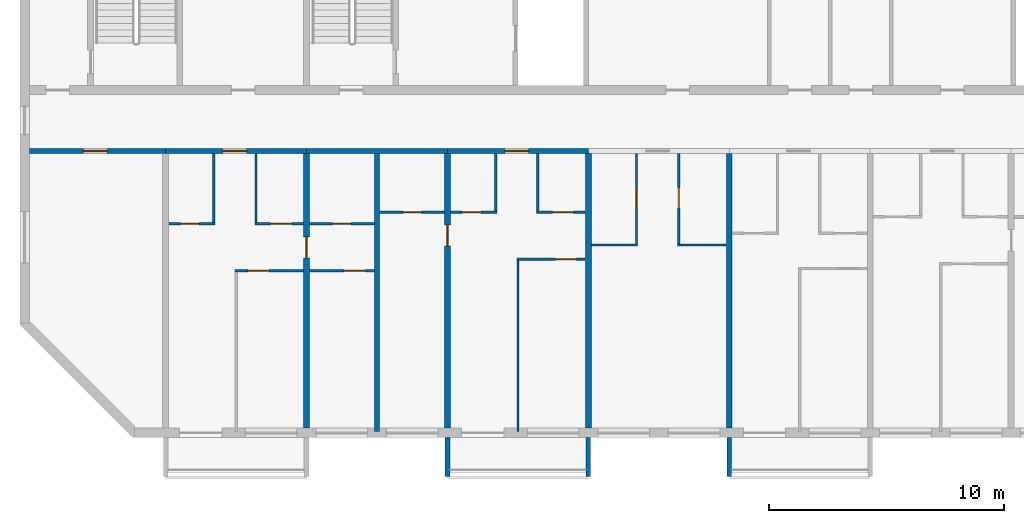
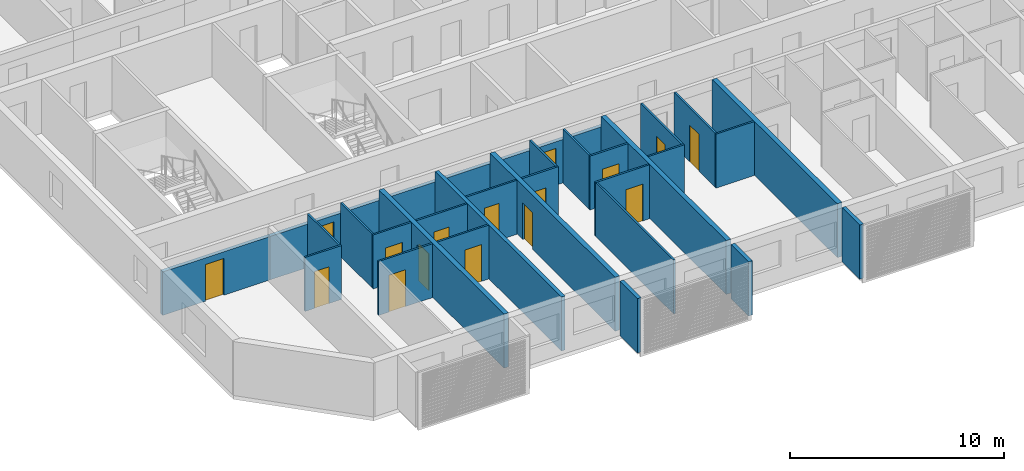
# One storey, part 2 of 27: 30 walls, 16 doors, 16 openings.
"""IFC4 building model written with IfcOpenShell, lengths in metres."""

from ifc_helpers import new_model, si_unit, direction, frame, frame_2d, origin, place, context, subcontext, project, spatial, polyline, rectangle, outline, extrude, source, transform, mapped, material, layer, layer_set, type_object, element, fill, save


model = new_model("IFC4")

# Units and contexts
model_context = context("Model", 3, precision=1e-05, world=origin(), true_north=direction((0.0, 1.0)))
body_context = subcontext(model_context, "Body", "Model", "MODEL_VIEW")
ifc_project = project(units=[si_unit("LENGTHUNIT", "METRE"), si_unit("AREAUNIT", "SQUARE_METRE"), si_unit("VOLUMEUNIT", "CUBIC_METRE"), si_unit("PLANEANGLEUNIT", "RADIAN"), si_unit("MASSUNIT", "GRAM", prefix="KILO")], contexts=[model_context])

# Site, building, storey
site_placement = place(None, origin())
site = spatial("IfcSite", under=ifc_project, at=site_placement, CompositionType="ELEMENT")
building_placement = place(site_placement, origin())
building = spatial("IfcBuilding", under=site, at=building_placement, Name="Poui Terraces", CompositionType="ELEMENT")
storey_placement = place(building_placement, frame((0.0, 0.0, 204.89990234375)))
storey = spatial("IfcBuildingStorey", under=building, at=storey_placement, Name="L57", CompositionType="ELEMENT", Elevation=204.89990234375)

# Wall, opening, door
ifc_material_1 = material(Name="Concrete 50 MPa", Category="concrete")
ifc_layer_1 = layer(ifc_material_1, 0.199951171875)
ifc_layer_set_1 = layer_set([ifc_layer_1], Name="Concrete 50 MPa")
wall_type_1 = type_object("IfcWallType", Name="CORRIDOR WALL 200 50MPa", PredefinedType="SHEAR", material=ifc_layer_set_1)
wall_1_placement = place(storey_placement, frame((18.199951171875, 12.0, 0.0), z_axis=(0.0, 0.0, 1.0), x_axis=(1.0, 0.0, 0.0)))
wall_1 = element("IfcWall", 1, at=wall_1_placement, inside=storey, type_object=wall_type_1, Name="CORRIDOR WALL LINE B BAY 1", PredefinedType="SHEAR", context=body_context, shape_type="SweptSolid", body=[
    extrude(rectangle(XDim=5.800048828125, YDim=0.199951171875, at=frame_2d((2.89990234375, 0.0))), origin(), (0.0, 0.0, 1.0), 2.47998046875),
])
opening_1_placement = place(wall_1_placement, frame((2.300048828125, 0.0, 0.0)))
opening_1 = element("IfcOpeningElement", 2, at=opening_1_placement, cuts=wall_1, Name="Opening D100", PredefinedType="OPENING", context=body_context, shape_type="SweptSolid", body=[
    extrude(rectangle(XDim=1.0, YDim=2.10009765625, at=frame_2d((0.5, 1.050048828125))), frame((0.0, 0.10986328125, 0.0), z_axis=(0.0, -1.0, 0.0), x_axis=(1.0, 0.0, 0.0)), (0.0, 0.0, 1.0), 0.219970703125),
])
ifc_material_2 = material(Name="Solid core timber door", Category="wood")
door_type_1 = type_object("IfcDoorType", Name="ACCESSIBLE INTERNAL DOOR 1000 X 2100", OperationType="NOTDEFINED", PredefinedType="DOOR", material=ifc_material_2)
door_1_placement = place(opening_1_placement, frame((1.0, 0.0, 0.0), z_axis=(0.0, 0.0, 1.0), x_axis=(-1.0, 0.0, 0.0)))
door_1 = element("IfcDoor", 3, at=door_1_placement, inside=storey, type_object=door_type_1, Name="ACCESSIBLE INTERNAL DOOR 066", OperationType="SINGLE_SWING_RIGHT", OverallHeight=2.10009765625, OverallWidth=1.0, PredefinedType="DOOR", context=body_context, shape_type="SweptSolid", body=[
    extrude(rectangle(XDim=1.0, YDim=2.10009765625, at=frame_2d((0.5, 1.050048828125))), frame((0.0, 0.02490234375, 0.0), z_axis=(0.0, -1.0, 0.0), x_axis=(1.0, 0.0, 0.0)), (0.0, 0.0, 1.0), 0.050048828125),
])
fill(opening_1, door_1)

wall_2_placement = place(storey_placement, frame((24.0, 12.0, 0.0), z_axis=(0.0, 0.0, 1.0), x_axis=(1.0, 0.0, 0.0)))
wall_2 = element("IfcWall", 4, at=wall_2_placement, inside=storey, type_object=wall_type_1, Name="CORRIDOR WALL LINE B BAY 2", PredefinedType="SHEAR", context=body_context, shape_type="SweptSolid", body=[
    extrude(rectangle(XDim=6.0, YDim=0.199951171875, at=frame_2d((3.0, 0.0))), origin(), (0.0, 0.0, 1.0), 2.47998046875),
])
opening_2_placement = place(wall_2_placement, frame((2.449951171875, 0.0, 0.0)))
opening_2 = element("IfcOpeningElement", 5, at=opening_2_placement, cuts=wall_2, Name="Opening FD30S", PredefinedType="OPENING", context=body_context, shape_type="SweptSolid", body=[
    extrude(rectangle(XDim=1.0, YDim=2.10009765625, at=frame_2d((0.5, 1.050048828125))), frame((0.0, 0.10986328125, 0.0), z_axis=(0.0, -1.0, 0.0), x_axis=(1.0, 0.0, 0.0)), (0.0, 0.0, 1.0), 0.219970703125),
])
ifc_material_3 = material(Name="Steel fire door", Category="steel")
door_type_2 = type_object("IfcDoorType", Name="FLAT ENTRANCE DOOR 1000 X 2100", OperationType="NOTDEFINED", PredefinedType="DOOR", material=ifc_material_3)
door_2_placement = place(opening_2_placement, frame((1.0, 0.0, 0.0), z_axis=(0.0, 0.0, 1.0), x_axis=(-1.0, 0.0, 0.0)))
door_2 = element("IfcDoor", 6, at=door_2_placement, inside=storey, type_object=door_type_2, Name="FLAT ENTRANCE DOOR 070", OperationType="SINGLE_SWING_RIGHT", OverallHeight=2.10009765625, OverallWidth=1.0, PredefinedType="DOOR", context=body_context, shape_type="SweptSolid", body=[
    extrude(rectangle(XDim=1.0, YDim=2.10009765625, at=frame_2d((0.5, 1.050048828125))), frame((0.0, 0.02490234375, 0.0), z_axis=(0.0, -1.0, 0.0), x_axis=(1.0, 0.0, 0.0)), (0.0, 0.0, 1.0), 0.050048828125),
])
fill(opening_2, door_2)

# Wall
wall_3_placement = place(storey_placement, frame((30.0, 12.0, 0.0), z_axis=(0.0, 0.0, 1.0), x_axis=(1.0, 0.0, 0.0)))
element("IfcWall", 7, at=wall_3_placement, inside=storey, type_object=wall_type_1, Name="CORRIDOR WALL LINE B BAY 3", PredefinedType="SHEAR", context=body_context, shape_type="SweptSolid", body=[
    extrude(rectangle(XDim=6.0, YDim=0.199951171875, at=frame_2d((3.0, 0.0))), origin(), (0.0, 0.0, 1.0), 2.47998046875),
])

# Wall, opening, door
wall_4_placement = place(storey_placement, frame((36.0, 12.0, 0.0), z_axis=(0.0, 0.0, 1.0), x_axis=(1.0, 0.0, 0.0)))
wall_4 = element("IfcWall", 8, at=wall_4_placement, inside=storey, type_object=wall_type_1, Name="CORRIDOR WALL LINE B BAY 4", PredefinedType="SHEAR", context=body_context, shape_type="SweptSolid", body=[
    extrude(rectangle(XDim=6.0, YDim=0.199951171875, at=frame_2d((3.0, 0.0))), origin(), (0.0, 0.0, 1.0), 2.47998046875),
])
opening_3_placement = place(wall_4_placement, frame((2.449951171875, 0.0, 0.0)))
opening_3 = element("IfcOpeningElement", 9, at=opening_3_placement, cuts=wall_4, Name="Opening FD30S", PredefinedType="OPENING", context=body_context, shape_type="SweptSolid", body=[
    extrude(rectangle(XDim=1.0, YDim=2.10009765625, at=frame_2d((0.5, 1.050048828125))), frame((0.0, 0.10986328125, 0.0), z_axis=(0.0, -1.0, 0.0), x_axis=(1.0, 0.0, 0.0)), (0.0, 0.0, 1.0), 0.219970703125),
])
door_3_placement = place(opening_3_placement, frame((1.0, 0.0, 0.0), z_axis=(0.0, 0.0, 1.0), x_axis=(-1.0, 0.0, 0.0)))
door_3 = element("IfcDoor", 10, at=door_3_placement, inside=storey, type_object=door_type_2, Name="FLAT ENTRANCE DOOR 077", OperationType="SINGLE_SWING_RIGHT", OverallHeight=2.10009765625, OverallWidth=1.0, PredefinedType="DOOR", context=body_context, shape_type="SweptSolid", body=[
    extrude(rectangle(XDim=1.0, YDim=2.10009765625, at=frame_2d((0.5, 1.050048828125))), frame((0.0, 0.02490234375, 0.0), z_axis=(0.0, -1.0, 0.0), x_axis=(1.0, 0.0, 0.0)), (0.0, 0.0, 1.0), 0.050048828125),
])
fill(opening_3, door_3)

ifc_layer_2 = layer(ifc_material_1, 0.25)
ifc_layer_set_2 = layer_set([ifc_layer_2], Name="Concrete 50 MPa")
wall_type_2 = type_object("IfcWallType", Name="CROSS WALL 250 50MPa", PredefinedType="SHEAR", material=ifc_layer_set_2)
wall_5_placement = place(storey_placement, frame((30.0, 0.199951171875, 0.0), z_axis=(0.0, 0.0, 1.0), x_axis=(0.0, 1.0, 0.0)))
wall_5 = element("IfcWall", 11, at=wall_5_placement, inside=storey, type_object=wall_type_2, Name="CROSS WALL LINE 6 SOUTH", PredefinedType="SHEAR", context=body_context, shape_type="SweptSolid", body=[
    extrude(rectangle(XDim=11.699951171875, YDim=0.25, at=frame_2d((5.85009765625, 0.0))), origin(), (0.0, 0.0, 1.0), 3.080078125),
])
opening_4_placement = place(wall_5_placement, frame((7.25, 0.0, 0.0)))
opening_4 = element("IfcOpeningElement", 12, at=opening_4_placement, cuts=wall_5, Name="Opening D90", PredefinedType="OPENING", context=body_context, shape_type="SweptSolid", body=[
    extrude(rectangle(XDim=0.89990234375, YDim=2.10009765625, at=frame_2d((0.449951171875, 1.050048828125))), frame((0.0, 0.135009765625, 0.0), z_axis=(0.0, -1.0, 0.0), x_axis=(1.0, 0.0, 0.0)), (0.0, 0.0, 1.0), 0.27001953125),
])
door_type_3 = type_object("IfcDoorType", Name="INTERNAL DOOR 900 X 2100", OperationType="NOTDEFINED", PredefinedType="DOOR", material=ifc_material_2)
door_4_placement = place(opening_4_placement, origin())
door_4 = element("IfcDoor", 13, at=door_4_placement, inside=storey, type_object=door_type_3, Name="INTERNAL DOOR 073", OperationType="SINGLE_SWING_RIGHT", OverallHeight=2.10009765625, OverallWidth=0.89990234375, PredefinedType="DOOR", context=body_context, shape_type="SweptSolid", body=[
    extrude(rectangle(XDim=0.89990234375, YDim=2.10009765625, at=frame_2d((0.449951171875, 1.050048828125))), frame((0.0, 0.02490234375, 0.0), z_axis=(0.0, -1.0, 0.0), x_axis=(1.0, 0.0, 0.0)), (0.0, 0.0, 1.0), 0.050048828125),
])
fill(opening_4, door_4)

wall_6_placement = place(storey_placement, frame((36.0, 0.199951171875, 0.0), z_axis=(0.0, 0.0, 1.0), x_axis=(0.0, 1.0, 0.0)))
wall_6 = element("IfcWall", 14, at=wall_6_placement, inside=storey, type_object=wall_type_2, Name="CROSS WALL LINE 7 SOUTH", PredefinedType="SHEAR", context=body_context, shape_type="SweptSolid", body=[
    extrude(rectangle(XDim=11.699951171875, YDim=0.25, at=frame_2d((5.85009765625, 0.0))), origin(), (0.0, 0.0, 1.0), 3.080078125),
])
opening_5_placement = place(wall_6_placement, frame((7.75, 0.0, 0.0)))
opening_5 = element("IfcOpeningElement", 15, at=opening_5_placement, cuts=wall_6, Name="Opening D90", PredefinedType="OPENING", context=body_context, shape_type="SweptSolid", body=[
    extrude(rectangle(XDim=0.89990234375, YDim=2.10009765625, at=frame_2d((0.449951171875, 1.050048828125))), frame((0.0, 0.135009765625, 0.0), z_axis=(0.0, -1.0, 0.0), x_axis=(1.0, 0.0, 0.0)), (0.0, 0.0, 1.0), 0.27001953125),
])
door_5_placement = place(opening_5_placement, origin())
door_5 = element("IfcDoor", 16, at=door_5_placement, inside=storey, type_object=door_type_3, Name="INTERNAL DOOR 075", OperationType="SINGLE_SWING_RIGHT", OverallHeight=2.10009765625, OverallWidth=0.89990234375, PredefinedType="DOOR", context=body_context, shape_type="SweptSolid", body=[
    extrude(rectangle(XDim=0.89990234375, YDim=2.10009765625, at=frame_2d((0.449951171875, 1.050048828125))), frame((0.0, 0.02490234375, 0.0), z_axis=(0.0, -1.0, 0.0), x_axis=(1.0, 0.0, 0.0)), (0.0, 0.0, 1.0), 0.050048828125),
])
fill(opening_5, door_5)

# Walls
for number, where, z_axis, x_axis, name in (
    (17, (42.0, 0.199951171875, 0.0), (0.0, 0.0, 1.0), (0.0, 1.0, 0.0), "CROSS WALL LINE 8 SOUTH"),
    (18, (48.0, 0.199951171875, 0.0), (0.0, 0.0, 1.0), (0.0, 1.0, 0.0), "CROSS WALL LINE 9 SOUTH"),
):
    element("IfcWall", number, at=place(storey_placement, frame(where, z_axis=z_axis, x_axis=x_axis)), inside=storey, type_object=wall_type_2, Name=name, PredefinedType="SHEAR", context=body_context, shape_type="SweptSolid", body=[
        extrude(rectangle(XDim=11.699951171875, YDim=0.25, at=frame_2d((5.85009765625, 0.0))), origin(), (0.0, 0.0, 1.0), 3.080078125),
    ])

# Wall, opening, door
ifc_material_4 = material(Name="Plasterboard partition")
ifc_layer_3 = layer(ifc_material_4, 0.10009765625)
ifc_layer_set_3 = layer_set([ifc_layer_3], Name="Plasterboard partition")
wall_type_3 = type_object("IfcWallType", Name="FLAT PARTITION 100", PredefinedType="PARTITIONING", material=ifc_layer_set_3)
wall_7_placement = place(storey_placement, frame((26.949951171875, 6.89990234375, 0.0), z_axis=(0.0, 0.0, 1.0), x_axis=(1.0, 0.0, 0.0)))
wall_7 = element("IfcWall", 19, at=wall_7_placement, inside=storey, type_object=wall_type_3, Name="FLAT PARTITION 100", PredefinedType="PARTITIONING", context=body_context, shape_type="SweptSolid", body=[
    extrude(rectangle(XDim=2.9150390625, YDim=0.10009765625, at=frame_2d((1.45751953125, 0.0))), origin(), (0.0, 0.0, 1.0), 3.080078125),
])
opening_6_placement = place(wall_7_placement, frame((0.550048828125, 0.0, 0.0)))
opening_6 = element("IfcOpeningElement", 20, at=opening_6_placement, cuts=wall_7, Name="Opening D90", PredefinedType="OPENING", context=body_context, shape_type="SweptSolid", body=[
    extrude(rectangle(XDim=0.89990234375, YDim=2.10009765625, at=frame_2d((0.449951171875, 1.050048828125))), frame((0.0, 0.06005859375, 0.0), z_axis=(0.0, -1.0, 0.0), x_axis=(1.0, 0.0, 0.0)), (0.0, 0.0, 1.0), 0.1201171875),
])
door_6_placement = place(opening_6_placement, origin())
door_6 = element("IfcDoor", 21, at=door_6_placement, inside=storey, type_object=door_type_3, Name="INTERNAL DOOR 071", OperationType="SINGLE_SWING_RIGHT", OverallHeight=2.10009765625, OverallWidth=0.89990234375, PredefinedType="DOOR", context=body_context, shape_type="SweptSolid", body=[
    extrude(rectangle(XDim=0.89990234375, YDim=2.10009765625, at=frame_2d((0.449951171875, 1.050048828125))), frame((0.0, 0.02490234375, 0.0), z_axis=(0.0, -1.0, 0.0), x_axis=(1.0, 0.0, 0.0)), (0.0, 0.0, 1.0), 0.050048828125),
])
fill(opening_6, door_6)

wall_8_placement = place(storey_placement, frame((30.135009765625, 6.89990234375, 0.0), z_axis=(0.0, 0.0, 1.0), x_axis=(1.0, 0.0, 0.0)))
wall_8 = element("IfcWall", 22, at=wall_8_placement, inside=storey, type_object=wall_type_3, Name="FLAT PARTITION 100", PredefinedType="PARTITIONING", context=body_context, shape_type="SweptSolid", body=[
    extrude(rectangle(XDim=2.764892578125, YDim=0.10009765625, at=frame_2d((1.38232421875, 0.0))), origin(), (0.0, 0.0, 1.0), 3.080078125),
])
opening_7_placement = place(wall_8_placement, frame((1.465087890625, 0.0, 0.0)))
opening_7 = element("IfcOpeningElement", 23, at=opening_7_placement, cuts=wall_8, Name="Opening D90", PredefinedType="OPENING", context=body_context, shape_type="SweptSolid", body=[
    extrude(rectangle(XDim=0.89990234375, YDim=2.10009765625, at=frame_2d((0.449951171875, 1.050048828125))), frame((0.0, 0.06005859375, 0.0), z_axis=(0.0, -1.0, 0.0), x_axis=(1.0, 0.0, 0.0)), (0.0, 0.0, 1.0), 0.1201171875),
])
door_7_placement = place(opening_7_placement, frame((0.89990234375, 0.0, 0.0), z_axis=(0.0, 0.0, 1.0), x_axis=(-1.0, 0.0, 0.0)))
door_7 = element("IfcDoor", 24, at=door_7_placement, inside=storey, type_object=door_type_3, Name="INTERNAL DOOR 068", OperationType="SINGLE_SWING_LEFT", OverallHeight=2.10009765625, OverallWidth=0.89990234375, PredefinedType="DOOR", context=body_context, shape_type="SweptSolid", body=[
    extrude(rectangle(XDim=0.89990234375, YDim=2.10009765625, at=frame_2d((0.449951171875, 1.050048828125))), frame((0.0, 0.02490234375, 0.0), z_axis=(0.0, -1.0, 0.0), x_axis=(1.0, 0.0, 0.0)), (0.0, 0.0, 1.0), 0.050048828125),
])
fill(opening_7, door_7)

wall_9_placement = place(storey_placement, frame((38.949951171875, 7.39990234375, 0.0), z_axis=(0.0, 0.0, 1.0), x_axis=(1.0, 0.0, 0.0)))
wall_9 = element("IfcWall", 25, at=wall_9_placement, inside=storey, type_object=wall_type_3, Name="FLAT PARTITION 100", PredefinedType="PARTITIONING", context=body_context, shape_type="SweptSolid", body=[
    extrude(rectangle(XDim=2.9150390625, YDim=0.10009765625, at=frame_2d((1.45751953125, 0.0))), origin(), (0.0, 0.0, 1.0), 3.080078125),
])
opening_8_placement = place(wall_9_placement, frame((1.64990234375, 0.0, 0.0)))
opening_8 = element("IfcOpeningElement", 26, at=opening_8_placement, cuts=wall_9, Name="Opening D90", PredefinedType="OPENING", context=body_context, shape_type="SweptSolid", body=[
    extrude(rectangle(XDim=0.89990234375, YDim=2.10009765625, at=frame_2d((0.449951171875, 1.050048828125))), frame((0.0, 0.06005859375, 0.0), z_axis=(0.0, -1.0, 0.0), x_axis=(1.0, 0.0, 0.0)), (0.0, 0.0, 1.0), 0.1201171875),
])
door_8_placement = place(opening_8_placement, origin())
door_8 = element("IfcDoor", 27, at=door_8_placement, inside=storey, type_object=door_type_3, Name="INTERNAL DOOR 079", OperationType="SINGLE_SWING_LEFT", OverallHeight=2.10009765625, OverallWidth=0.89990234375, PredefinedType="DOOR", context=body_context, shape_type="SweptSolid", body=[
    extrude(rectangle(XDim=0.89990234375, YDim=2.10009765625, at=frame_2d((0.449951171875, 1.050048828125))), frame((0.0, 0.02490234375, 0.0), z_axis=(0.0, -1.0, 0.0), x_axis=(1.0, 0.0, 0.0)), (0.0, 0.0, 1.0), 0.050048828125),
])
fill(opening_8, door_8)

# Walls
wall_10_placement = place(storey_placement, frame((42.135009765625, 8.0, 0.0), z_axis=(0.0, 0.0, 1.0), x_axis=(1.0, 0.0, 0.0)))
element("IfcWall", 28, at=wall_10_placement, inside=storey, type_object=wall_type_3, Name="FLAT PARTITION 100", PredefinedType="PARTITIONING", context=body_context, shape_type="SweptSolid", body=[
    extrude(rectangle(XDim=1.965087890625, YDim=0.10009765625, at=frame_2d((0.982421875, 0.0))), origin(), (0.0, 0.0, 1.0), 3.080078125),
])
wall_11_placement = place(storey_placement, frame((45.800048828125, 8.0, 0.0), z_axis=(0.0, 0.0, 1.0), x_axis=(1.0, 0.0, 0.0)))
element("IfcWall", 29, at=wall_11_placement, inside=storey, type_object=wall_type_3, Name="FLAT PARTITION 100", PredefinedType="PARTITIONING", context=body_context, shape_type="SweptSolid", body=[
    extrude(rectangle(XDim=2.06494140625, YDim=0.10009765625, at=frame_2d((1.032470703125, 0.0))), origin(), (0.0, 0.0, 1.0), 3.080078125),
])

# Wall, opening, door
wall_12_placement = place(storey_placement, frame((24.135009765625, 8.89990234375, 0.0), z_axis=(0.0, 0.0, 1.0), x_axis=(1.0, 0.0, 0.0)))
wall_12 = element("IfcWall", 30, at=wall_12_placement, inside=storey, type_object=wall_type_3, Name="FLAT PARTITION 100", PredefinedType="PARTITIONING", context=body_context, shape_type="SweptSolid", body=[
    extrude(rectangle(XDim=1.965087890625, YDim=0.10009765625, at=frame_2d((0.982421875, 0.0))), origin(), (0.0, 0.0, 1.0), 3.080078125),
])
opening_9_placement = place(wall_12_placement, frame((0.489990234375, 0.0, 0.0)))
opening_9 = element("IfcOpeningElement", 31, at=opening_9_placement, cuts=wall_12, Name="Opening D80", PredefinedType="OPENING", context=body_context, shape_type="SweptSolid", body=[
    extrude(rectangle(XDim=0.800048828125, YDim=2.10009765625, at=frame_2d((0.39990234375, 1.050048828125))), frame((0.0, 0.06005859375, 0.0), z_axis=(0.0, -1.0, 0.0), x_axis=(1.0, 0.0, 0.0)), (0.0, 0.0, 1.0), 0.1201171875),
])
door_type_4 = type_object("IfcDoorType", Name="BATHROOM, LAUNDRY AND STORE DOOR 800 X 2100", OperationType="NOTDEFINED", PredefinedType="DOOR", material=ifc_material_2)
door_9_placement = place(opening_9_placement, origin())
door_9 = element("IfcDoor", 32, at=door_9_placement, inside=storey, type_object=door_type_4, Name="BATHROOM, LAUNDRY AND STORE DOOR 069", OperationType="SINGLE_SWING_RIGHT", OverallHeight=2.10009765625, OverallWidth=0.800048828125, PredefinedType="DOOR", context=body_context, shape_type="SweptSolid", body=[
    extrude(rectangle(XDim=0.800048828125, YDim=2.10009765625, at=frame_2d((0.39990234375, 1.050048828125))), frame((0.0, 0.02490234375, 0.0), z_axis=(0.0, -1.0, 0.0), x_axis=(1.0, 0.0, 0.0)), (0.0, 0.0, 1.0), 0.050048828125),
])
fill(opening_9, door_9)

wall_13_placement = place(storey_placement, frame((27.800048828125, 8.89990234375, 0.0), z_axis=(0.0, 0.0, 1.0), x_axis=(1.0, 0.0, 0.0)))
wall_13 = element("IfcWall", 33, at=wall_13_placement, inside=storey, type_object=wall_type_3, Name="FLAT PARTITION 100", PredefinedType="PARTITIONING", context=body_context, shape_type="SweptSolid", body=[
    extrude(rectangle(XDim=2.06494140625, YDim=0.10009765625, at=frame_2d((1.032470703125, 0.0))), origin(), (0.0, 0.0, 1.0), 3.080078125),
])
opening_10_placement = place(wall_13_placement, frame((0.675048828125, 0.0, 0.0)))
opening_10 = element("IfcOpeningElement", 34, at=opening_10_placement, cuts=wall_13, Name="Opening D90", PredefinedType="OPENING", context=body_context, shape_type="SweptSolid", body=[
    extrude(rectangle(XDim=0.89990234375, YDim=2.10009765625, at=frame_2d((0.449951171875, 1.050048828125))), frame((0.0, 0.06005859375, 0.0), z_axis=(0.0, -1.0, 0.0), x_axis=(1.0, 0.0, 0.0)), (0.0, 0.0, 1.0), 0.1201171875),
])
door_10_placement = place(opening_10_placement, origin())
door_10 = element("IfcDoor", 35, at=door_10_placement, inside=storey, type_object=door_type_3, Name="INTERNAL DOOR 072", OperationType="SINGLE_SWING_LEFT", OverallHeight=2.10009765625, OverallWidth=0.89990234375, PredefinedType="DOOR", context=body_context, shape_type="SweptSolid", body=[
    extrude(rectangle(XDim=0.89990234375, YDim=2.10009765625, at=frame_2d((0.449951171875, 1.050048828125))), frame((0.0, 0.02490234375, 0.0), z_axis=(0.0, -1.0, 0.0), x_axis=(1.0, 0.0, 0.0)), (0.0, 0.0, 1.0), 0.050048828125),
])
fill(opening_10, door_10)

wall_14_placement = place(storey_placement, frame((30.135009765625, 8.89990234375, 0.0), z_axis=(0.0, 0.0, 1.0), x_axis=(1.0, 0.0, 0.0)))
wall_14 = element("IfcWall", 36, at=wall_14_placement, inside=storey, type_object=wall_type_3, Name="FLAT PARTITION 100", PredefinedType="PARTITIONING", context=body_context, shape_type="SweptSolid", body=[
    extrude(rectangle(XDim=2.764892578125, YDim=0.10009765625, at=frame_2d((1.38232421875, 0.0))), origin(), (0.0, 0.0, 1.0), 3.080078125),
])
opening_11_placement = place(wall_14_placement, frame((0.965087890625, 0.0, 0.0)))
opening_11 = element("IfcOpeningElement", 37, at=opening_11_placement, cuts=wall_14, Name="Opening D80", PredefinedType="OPENING", context=body_context, shape_type="SweptSolid", body=[
    extrude(rectangle(XDim=0.800048828125, YDim=2.10009765625, at=frame_2d((0.39990234375, 1.050048828125))), frame((0.0, 0.06005859375, 0.0), z_axis=(0.0, -1.0, 0.0), x_axis=(1.0, 0.0, 0.0)), (0.0, 0.0, 1.0), 0.1201171875),
])
door_11_placement = place(opening_11_placement, origin())
door_11 = element("IfcDoor", 38, at=door_11_placement, inside=storey, type_object=door_type_4, Name="BATHROOM, LAUNDRY AND STORE DOOR 067", OperationType="SINGLE_SWING_LEFT", OverallHeight=2.10009765625, OverallWidth=0.800048828125, PredefinedType="DOOR", context=body_context, shape_type="SweptSolid", body=[
    extrude(rectangle(XDim=0.800048828125, YDim=2.10009765625, at=frame_2d((0.39990234375, 1.050048828125))), frame((0.0, 0.02490234375, 0.0), z_axis=(0.0, -1.0, 0.0), x_axis=(1.0, 0.0, 0.0)), (0.0, 0.0, 1.0), 0.050048828125),
])
fill(opening_11, door_11)

wall_15_placement = place(storey_placement, frame((33.10009765625, 9.39990234375, 0.0), z_axis=(0.0, 0.0, 1.0), x_axis=(1.0, 0.0, 0.0)))
wall_15 = element("IfcWall", 39, at=wall_15_placement, inside=storey, type_object=wall_type_3, Name="FLAT PARTITION 100", PredefinedType="PARTITIONING", context=body_context, shape_type="SweptSolid", body=[
    extrude(rectangle(XDim=2.764892578125, YDim=0.10009765625, at=frame_2d((1.38232421875, 0.0))), origin(), (0.0, 0.0, 1.0), 3.080078125),
])
opening_12_placement = place(wall_15_placement, frame((1.0, 0.0, 0.0)))
opening_12 = element("IfcOpeningElement", 40, at=opening_12_placement, cuts=wall_15, Name="Opening D80", PredefinedType="OPENING", context=body_context, shape_type="SweptSolid", body=[
    extrude(rectangle(XDim=0.800048828125, YDim=2.10009765625, at=frame_2d((0.39990234375, 1.050048828125))), frame((0.0, 0.06005859375, 0.0), z_axis=(0.0, -1.0, 0.0), x_axis=(1.0, 0.0, 0.0)), (0.0, 0.0, 1.0), 0.1201171875),
])
door_12_placement = place(opening_12_placement, origin())
door_12 = element("IfcDoor", 41, at=door_12_placement, inside=storey, type_object=door_type_4, Name="BATHROOM, LAUNDRY AND STORE DOOR 074", OperationType="SINGLE_SWING_LEFT", OverallHeight=2.10009765625, OverallWidth=0.800048828125, PredefinedType="DOOR", context=body_context, shape_type="SweptSolid", body=[
    extrude(rectangle(XDim=0.800048828125, YDim=2.10009765625, at=frame_2d((0.39990234375, 1.050048828125))), frame((0.0, 0.02490234375, 0.0), z_axis=(0.0, -1.0, 0.0), x_axis=(1.0, 0.0, 0.0)), (0.0, 0.0, 1.0), 0.050048828125),
])
fill(opening_12, door_12)

wall_16_placement = place(storey_placement, frame((36.135009765625, 9.39990234375, 0.0), z_axis=(0.0, 0.0, 1.0), x_axis=(1.0, 0.0, 0.0)))
wall_16 = element("IfcWall", 42, at=wall_16_placement, inside=storey, type_object=wall_type_3, Name="FLAT PARTITION 100", PredefinedType="PARTITIONING", context=body_context, shape_type="SweptSolid", body=[
    extrude(rectangle(XDim=1.965087890625, YDim=0.10009765625, at=frame_2d((0.982421875, 0.0))), origin(), (0.0, 0.0, 1.0), 3.080078125),
])
opening_13_placement = place(wall_16_placement, frame((0.489990234375, 0.0, 0.0)))
opening_13 = element("IfcOpeningElement", 43, at=opening_13_placement, cuts=wall_16, Name="Opening D80", PredefinedType="OPENING", context=body_context, shape_type="SweptSolid", body=[
    extrude(rectangle(XDim=0.800048828125, YDim=2.10009765625, at=frame_2d((0.39990234375, 1.050048828125))), frame((0.0, 0.06005859375, 0.0), z_axis=(0.0, -1.0, 0.0), x_axis=(1.0, 0.0, 0.0)), (0.0, 0.0, 1.0), 0.1201171875),
])
door_13_placement = place(opening_13_placement, origin())
door_13 = element("IfcDoor", 44, at=door_13_placement, inside=storey, type_object=door_type_4, Name="BATHROOM, LAUNDRY AND STORE DOOR 076", OperationType="SINGLE_SWING_LEFT", OverallHeight=2.10009765625, OverallWidth=0.800048828125, PredefinedType="DOOR", context=body_context, shape_type="SweptSolid", body=[
    extrude(rectangle(XDim=0.800048828125, YDim=2.10009765625, at=frame_2d((0.39990234375, 1.050048828125))), frame((0.0, 0.02490234375, 0.0), z_axis=(0.0, -1.0, 0.0), x_axis=(1.0, 0.0, 0.0)), (0.0, 0.0, 1.0), 0.050048828125),
])
fill(opening_13, door_13)

wall_17_placement = place(storey_placement, frame((39.800048828125, 9.39990234375, 0.0), z_axis=(0.0, 0.0, 1.0), x_axis=(1.0, 0.0, 0.0)))
wall_17 = element("IfcWall", 45, at=wall_17_placement, inside=storey, type_object=wall_type_3, Name="FLAT PARTITION 100", PredefinedType="PARTITIONING", context=body_context, shape_type="SweptSolid", body=[
    extrude(rectangle(XDim=2.06494140625, YDim=0.10009765625, at=frame_2d((1.032470703125, 0.0))), origin(), (0.0, 0.0, 1.0), 3.080078125),
])
opening_14_placement = place(wall_17_placement, frame((0.675048828125, 0.0, 0.0)))
opening_14 = element("IfcOpeningElement", 46, at=opening_14_placement, cuts=wall_17, Name="Opening D90", PredefinedType="OPENING", context=body_context, shape_type="SweptSolid", body=[
    extrude(rectangle(XDim=0.89990234375, YDim=2.10009765625, at=frame_2d((0.449951171875, 1.050048828125))), frame((0.0, 0.06005859375, 0.0), z_axis=(0.0, -1.0, 0.0), x_axis=(1.0, 0.0, 0.0)), (0.0, 0.0, 1.0), 0.1201171875),
])
door_14_placement = place(opening_14_placement, origin())
door_14 = element("IfcDoor", 47, at=door_14_placement, inside=storey, type_object=door_type_3, Name="INTERNAL DOOR 078", OperationType="SINGLE_SWING_RIGHT", OverallHeight=2.10009765625, OverallWidth=0.89990234375, PredefinedType="DOOR", context=body_context, shape_type="SweptSolid", body=[
    extrude(rectangle(XDim=0.89990234375, YDim=2.10009765625, at=frame_2d((0.449951171875, 1.050048828125))), frame((0.0, 0.02490234375, 0.0), z_axis=(0.0, -1.0, 0.0), x_axis=(1.0, 0.0, 0.0)), (0.0, 0.0, 1.0), 0.050048828125),
])
fill(opening_14, door_14)

# Walls
for number, where, z_axis, x_axis, name in (
    (48, (26.050048828125, 8.949951171875, 0.0), (0.0, 0.0, 1.0), (0.0, 1.0, 0.0), "FLAT PARTITION 100"),
    (49, (27.85009765625, 8.949951171875, 0.0), (0.0, 0.0, 1.0), (0.0, 1.0, 0.0), "FLAT PARTITION 100"),
):
    element("IfcWall", number, at=place(storey_placement, frame(where, z_axis=z_axis, x_axis=x_axis)), inside=storey, type_object=wall_type_3, Name=name, PredefinedType="PARTITIONING", context=body_context, shape_type="SweptSolid", body=[
        extrude(rectangle(XDim=2.93994140625, YDim=0.10009765625, at=frame_2d((1.469970703125, 0.0))), origin(), (0.0, 0.0, 1.0), 3.080078125),
    ])
wall_18_placement = place(storey_placement, frame((38.050048828125, 9.449951171875, 0.0), z_axis=(0.0, 0.0, 1.0), x_axis=(0.0, 1.0, 0.0)))
element("IfcWall", 50, at=wall_18_placement, inside=storey, type_object=wall_type_3, Name="FLAT PARTITION 100", PredefinedType="PARTITIONING", context=body_context, shape_type="SweptSolid", body=[
    extrude(rectangle(XDim=2.43994140625, YDim=0.10009765625, at=frame_2d((1.219970703125, 0.0))), origin(), (0.0, 0.0, 1.0), 3.080078125),
])
wall_19_placement = place(storey_placement, frame((39.0, 0.06005859375, 0.0), z_axis=(0.0, 0.0, 1.0), x_axis=(0.0, 1.0, 0.0)))
element("IfcWall", 51, at=wall_19_placement, inside=storey, type_object=wall_type_3, Name="FLAT PARTITION 100", PredefinedType="PARTITIONING", context=body_context, shape_type="SweptSolid", body=[
    extrude(rectangle(XDim=7.2900390625, YDim=0.10009765625, at=frame_2d((3.64501953125, 0.0))), origin(), (0.0, 0.0, 1.0), 3.080078125),
])
wall_20_placement = place(storey_placement, frame((39.85009765625, 9.449951171875, 0.0), z_axis=(0.0, 0.0, 1.0), x_axis=(0.0, 1.0, 0.0)))
element("IfcWall", 52, at=wall_20_placement, inside=storey, type_object=wall_type_3, Name="FLAT PARTITION 100", PredefinedType="PARTITIONING", context=body_context, shape_type="SweptSolid", body=[
    extrude(rectangle(XDim=2.43994140625, YDim=0.10009765625, at=frame_2d((1.219970703125, 0.0))), origin(), (0.0, 0.0, 1.0), 3.080078125),
])

# Wall, opening, door
wall_21_placement = place(storey_placement, frame((44.050048828125, 8.050048828125, 0.0), z_axis=(0.0, 0.0, 1.0), x_axis=(0.0, 1.0, 0.0)))
wall_21 = element("IfcWall", 53, at=wall_21_placement, inside=storey, type_object=wall_type_3, Name="FLAT PARTITION 100", PredefinedType="PARTITIONING", context=body_context, shape_type="SweptSolid", body=[
    extrude(rectangle(XDim=3.83984375, YDim=0.10009765625, at=frame_2d((1.919921875, 0.0))), origin(), (0.0, 0.0, 1.0), 3.080078125),
])
opening_15_placement = place(wall_21_placement, frame((1.550048828125, 0.0, 0.0)))
opening_15 = element("IfcOpeningElement", 54, at=opening_15_placement, cuts=wall_21, Name="Opening D80", PredefinedType="OPENING", context=body_context, shape_type="SweptSolid", body=[
    extrude(rectangle(XDim=0.800048828125, YDim=2.10009765625, at=frame_2d((0.39990234375, 1.050048828125))), frame((0.0, 0.06005859375, 0.0), z_axis=(0.0, -1.0, 0.0), x_axis=(1.0, 0.0, 0.0)), (0.0, 0.0, 1.0), 0.1201171875),
])
door_15_placement = place(opening_15_placement, origin())
door_15 = element("IfcDoor", 55, at=door_15_placement, inside=storey, type_object=door_type_4, Name="BATHROOM, LAUNDRY AND STORE DOOR 080", OperationType="SINGLE_SWING_LEFT", OverallHeight=2.10009765625, OverallWidth=0.800048828125, PredefinedType="DOOR", context=body_context, shape_type="SweptSolid", body=[
    extrude(rectangle(XDim=0.800048828125, YDim=2.10009765625, at=frame_2d((0.39990234375, 1.050048828125))), frame((0.0, 0.02490234375, 0.0), z_axis=(0.0, -1.0, 0.0), x_axis=(1.0, 0.0, 0.0)), (0.0, 0.0, 1.0), 0.050048828125),
])
fill(opening_15, door_15)

wall_22_placement = place(storey_placement, frame((45.85009765625, 8.050048828125, 0.0), z_axis=(0.0, 0.0, 1.0), x_axis=(0.0, 1.0, 0.0)))
wall_22 = element("IfcWall", 56, at=wall_22_placement, inside=storey, type_object=wall_type_3, Name="FLAT PARTITION 100", PredefinedType="PARTITIONING", context=body_context, shape_type="SweptSolid", body=[
    extrude(rectangle(XDim=3.83984375, YDim=0.10009765625, at=frame_2d((1.919921875, 0.0))), origin(), (0.0, 0.0, 1.0), 3.080078125),
])
opening_16_placement = place(wall_22_placement, frame((1.5, 0.0, 0.0)))
opening_16 = element("IfcOpeningElement", 57, at=opening_16_placement, cuts=wall_22, Name="Opening D90", PredefinedType="OPENING", context=body_context, shape_type="SweptSolid", body=[
    extrude(rectangle(XDim=0.89990234375, YDim=2.10009765625, at=frame_2d((0.449951171875, 1.050048828125))), frame((0.0, 0.06005859375, 0.0), z_axis=(0.0, -1.0, 0.0), x_axis=(1.0, 0.0, 0.0)), (0.0, 0.0, 1.0), 0.1201171875),
])
door_16_placement = place(opening_16_placement, frame((0.89990234375, 0.0, 0.0), z_axis=(0.0, 0.0, 1.0), x_axis=(-1.0, 0.0, 0.0)))
door_16 = element("IfcDoor", 58, at=door_16_placement, inside=storey, type_object=door_type_3, Name="INTERNAL DOOR 082", OperationType="SINGLE_SWING_LEFT", OverallHeight=2.10009765625, OverallWidth=0.89990234375, PredefinedType="DOOR", context=body_context, shape_type="SweptSolid", body=[
    extrude(rectangle(XDim=0.89990234375, YDim=2.10009765625, at=frame_2d((0.449951171875, 1.050048828125))), frame((0.0, 0.02490234375, 0.0), z_axis=(0.0, -1.0, 0.0), x_axis=(1.0, 0.0, 0.0)), (0.0, 0.0, 1.0), 0.050048828125),
])
fill(opening_16, door_16)

# Walls
ifc_material_5 = material(Name="Fire-rated masonry wall", Category="masonry")
ifc_layer_4 = layer(ifc_material_5, 0.199951171875)
ifc_layer_set_4 = layer_set([ifc_layer_4], Name="Fire-rated masonry wall")
wall_type_4 = type_object("IfcWallType", Name="FLAT PARTY WALL 200", PredefinedType="PARTITIONING", material=ifc_layer_set_4)
wall_23_placement = place(storey_placement, frame((33.0, 0.06005859375, 0.0), z_axis=(0.0, 0.0, 1.0), x_axis=(0.0, 1.0, 0.0)))
element("IfcWall", 59, at=wall_23_placement, inside=storey, type_object=wall_type_4, Name="FLAT PARTY WALL 200", PredefinedType="PARTITIONING", context=body_context, shape_type="SweptSolid", body=[
    extrude(rectangle(XDim=11.829833984375, YDim=0.199951171875, at=frame_2d((5.9150390625, 0.0))), origin(), (0.0, 0.0, 1.0), 3.080078125),
])
ifc_material_6 = material(Name="Precast concrete 40 MPa", Category="concrete")
ifc_layer_5 = layer(ifc_material_6, 0.199951171875)
ifc_layer_set_5 = layer_set([ifc_layer_5], Name="Precast concrete 40 MPa")
wall_type_5 = type_object("IfcWallType", Name="REAR FIN 200", PredefinedType="STANDARD", material=ifc_layer_set_5)
shared_shape = source(origin(), body_context, "Body", "SweptSolid", [
    extrude(outline(polyline([(0.0, 0.0), (0.2001953125, 0.0), (0.2001953125, 1.650146484375), (0.0, 1.650146484375), (0.0, 0.0)])), origin(), (0.0, 0.0, 1.0), 3.10009765625),
])
for number, where, name in (
    (60, (35.89990234375, -1.85009765625, 0.0), "REAR FIN"),
    (61, (41.89990234375, -1.85009765625, 0.0), "REAR FIN"),
    (62, (47.89990234375, -1.85009765625, 0.0), "REAR FIN"),
):
    element("IfcWall", number, at=place(storey_placement, frame(where)), inside=storey, type_object=wall_type_5, Name=name, PredefinedType="STANDARD", context=body_context, shape_type="MappedRepresentation", body=[
        mapped(shared_shape, transform((0.0, 0.0, 0.0))),
    ])

save(model, "model.ifc")
